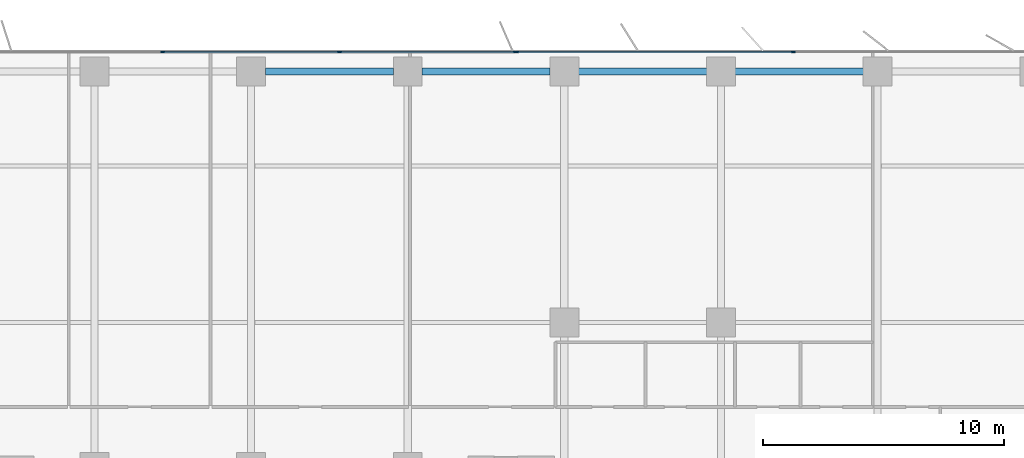
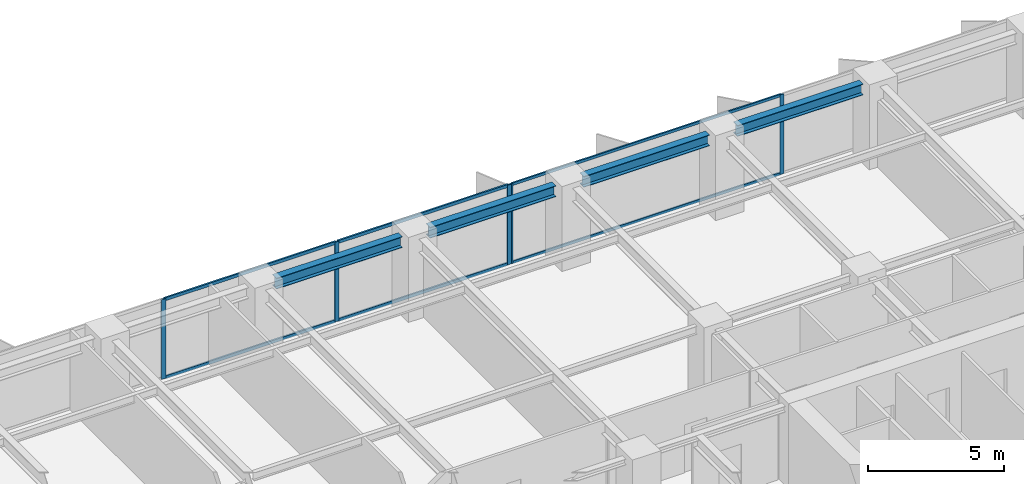
# One storey, part 9 of 20: 11 members, 4 beams, 2 elements without a shape of their own.
"""IFC4 building model written with IfcOpenShell, lengths in metres."""

import ifcopenshell
import ifcopenshell.guid

model = None  # the IFC model being written
_history = None  # IfcOwnerHistory: only IFC2X3 demands one
_inside = {}  # id of a spatial element -> (the spatial element, [elements in it])
_under = {}  # id of a project, library or spatial element -> (it, [spatial elements below it])
_declared = {}  # id of a project -> (the project, [libraries it declares])
_typed = {}  # id of a type object -> (the type object, [elements of that type])
_made_of = {}  # id of a material, layer set ... -> (it, [elements and type objects made of it])


def new_model(schema):
    """Start an empty IFC model of exactly this schema.

    Asked for "IFC4X3", IfcOpenShell would pick the latest addendum, in which some entities
    have other attributes; the version numbers below select the first issue.
    IFC2X3 requires an IfcOwnerHistory on every rooted entity: one is made here for all.
    """
    global model, _history
    if schema == "IFC4X3":
        model = ifcopenshell.file(schema_version=(4, 3, 0, 0))
    else:
        model = ifcopenshell.file(schema=schema)
    _inside.clear()
    _under.clear()
    _declared.clear()
    _typed.clear()
    _made_of.clear()
    _history = None
    if model.schema == "IFC2X3":
        org = make("IfcOrganization", Name="unknown")
        user = make(
            "IfcPersonAndOrganization",
            ThePerson=make("IfcPerson", FamilyName="unknown"),
            TheOrganization=org,
        )
        app = make(
            "IfcApplication",
            ApplicationDeveloper=org,
            Version="unknown",
            ApplicationFullName="unknown",
            ApplicationIdentifier="unknown",
        )
        _history = make(
            "IfcOwnerHistory",
            OwningUser=user,
            OwningApplication=app,
            ChangeAction="ADDED",
            CreationDate=0,
        )
    return model


def make(cls, **values):
    """One entity of the class cls with the attributes given. An attribute that is None is left unset."""
    return model.create_entity(
        cls, **{name: value for name, value in values.items() if value is not None}
    )


def rooted(cls, **values):
    """An entity with a GlobalId (a new one), such as an element, a storey or a relation."""
    return make(cls, GlobalId=ifcopenshell.guid.new(), OwnerHistory=_history, **values)


def si_unit(unit_type, name, prefix=None):
    """IfcSIUnit, for example si_unit("LENGTHUNIT", "METRE", prefix="MILLI")."""
    return make("IfcSIUnit", UnitType=unit_type, Prefix=prefix, Name=name)


def assignment(units):
    """IfcUnitAssignment: the units of a project."""
    return None if units is None else make("IfcUnitAssignment", Units=units)


def point(xyz):
    """IfcCartesianPoint."""
    return None if xyz is None else make("IfcCartesianPoint", Coordinates=xyz)


def direction(xyz):
    """IfcDirection."""
    return None if xyz is None else make("IfcDirection", DirectionRatios=xyz)


def frame(location, z_axis=None, x_axis=None):
    """IfcAxis2Placement3D, a coordinate frame: its origin and axes. An axis left out is left unset."""
    return make(
        "IfcAxis2Placement3D",
        Location=point(location),
        Axis=direction(z_axis),
        RefDirection=direction(x_axis),
    )


def frame_2d(location, x_axis=None):
    """IfcAxis2Placement2D, a coordinate frame in the plane: its origin and x axis."""
    return make(
        "IfcAxis2Placement2D", Location=point(location), RefDirection=direction(x_axis)
    )


def origin():
    """The frame at (0, 0, 0) with its axes left unset."""
    return frame((0.0, 0.0, 0.0))


def origin_2d():
    """The frame at (0, 0) in the plane with its x axis left unset."""
    return frame_2d((0.0, 0.0))


def place(relative_to, where):
    """IfcLocalPlacement: puts the frame where relative to a parent placement (None: the world)."""
    return make(
        "IfcLocalPlacement", PlacementRelTo=relative_to, RelativePlacement=where
    )


def context(
    kind, dimensions, precision=None, world=None, true_north=None, identifier=None
):
    """IfcGeometricRepresentationContext, for example the 3D "Model" context."""
    return make(
        "IfcGeometricRepresentationContext",
        ContextIdentifier=identifier,
        ContextType=kind,
        CoordinateSpaceDimension=dimensions,
        Precision=precision,
        WorldCoordinateSystem=world,
        TrueNorth=true_north,
    )


def subcontext(parent, identifier, kind, view, scale=None):
    """IfcGeometricRepresentationSubContext, for example "Body" below "Model"."""
    return make(
        "IfcGeometricRepresentationSubContext",
        ContextIdentifier=identifier,
        ContextType=kind,
        ParentContext=parent,
        TargetScale=scale,
        TargetView=view,
    )


def project(units=None, contexts=None):
    """IfcProject with its units and contexts."""
    return rooted(
        "IfcProject",
        Name="project",
        RepresentationContexts=contexts,
        UnitsInContext=assignment(units),
    )


def spatial(cls, under=None, at=None, **own):
    """A site, building, storey or space (cls), placed at a placement, below another one or the project."""
    s = rooted(cls, ObjectPlacement=at, **own)
    if under is not None:
        _under.setdefault(under.id(), (under, []))[1].append(s)
    return s


def profile(cls, at=None, kind="AREA", **sizes):
    """A parametric profile (cls). Its sizes go by their IFC names, for example OverallWidth=200.0."""
    return make(cls, ProfileType=kind, Position=at, **sizes)


def rectangle(**sizes):
    """IfcRectangleProfileDef."""
    return profile("IfcRectangleProfileDef", **sizes)


def i_section(**sizes):
    """IfcIShapeProfileDef."""
    return profile("IfcIShapeProfileDef", **sizes)


def extrude(swept, where, along, depth):
    """IfcExtrudedAreaSolid: the profile swept, set in the frame where, extruded along a direction by depth."""
    return make(
        "IfcExtrudedAreaSolid",
        SweptArea=swept,
        Position=where,
        ExtrudedDirection=direction(along),
        Depth=depth,
    )


def shape(context_of_items, identifier, shape_type, items):
    """IfcShapeRepresentation: the items that make up one representation, for example the "Body"."""
    return make(
        "IfcShapeRepresentation",
        ContextOfItems=context_of_items,
        RepresentationIdentifier=identifier,
        RepresentationType=shape_type,
        Items=items,
    )


def material(Name=None, Category=None):
    """IfcMaterial."""
    return make("IfcMaterial", Name=Name, Category=Category)


def layer(
    of_material, thickness, ventilated=None, Name=None, Category=None, Priority=None
):
    """IfcMaterialLayer: one layer of a wall or slab, of a material (None: an air gap)."""
    return make(
        "IfcMaterialLayer",
        Material=of_material,
        LayerThickness=thickness,
        IsVentilated=ventilated,
        Name=Name,
        Category=Category,
        Priority=Priority,
    )


def layer_set(layers, Name=None):
    """IfcMaterialLayerSet."""
    return make("IfcMaterialLayerSet", MaterialLayers=layers, LayerSetName=Name)


def material_profile(
    of_material, cross_section, Name=None, Category=None, Priority=None
):
    """IfcMaterialProfile: a cross section and its material."""
    return make(
        "IfcMaterialProfile",
        Name=Name,
        Material=of_material,
        Profile=cross_section,
        Priority=Priority,
        Category=Category,
    )


def profile_set(profiles, Name=None, composite=None):
    """IfcMaterialProfileSet."""
    return make(
        "IfcMaterialProfileSet",
        Name=Name,
        MaterialProfiles=profiles,
        CompositeProfile=composite,
    )


def made_of(thing, what):
    """Note that an element or type object is made of a material, layer set ...; save() writes the relation."""
    if what is not None:
        _made_of.setdefault(what.id(), (what, []))[1].append(thing)
    return thing


def type_object(cls, material=None, **own):
    """A type object (cls), such as IfcWallType, which elements share."""
    return made_of(rooted(cls, **own), material)


def element(
    cls,
    number,
    at=None,
    inside=None,
    cuts=None,
    type_object=None,
    material=None,
    context=None,
    identifier="Body",
    shape_type=None,
    held_by="IfcProductDefinitionShape",
    body=None,
    shapes=None,
    **own,
):
    """One element of the class cls, such as IfcWall. Its Tag is "e" and its number.

    at: its placement. inside: the storey or other place that contains it. cuts: it is an
    opening in that element (IfcRelVoidsElement). A single representation is given by context,
    identifier, shape_type and body (its items); several are given by shapes. held_by: the class
    of the entity that holds the representations. save() writes the other relations.
    """
    e = rooted(cls, Tag="e%d" % number, ObjectPlacement=at, **own)
    if body is not None:
        shapes = [shape(context, identifier, shape_type, body)]
    if shapes is not None:
        e.Representation = make(held_by, Representations=shapes)
    if inside is not None:
        _inside.setdefault(inside.id(), (inside, []))[1].append(e)
    if cuts is not None:
        rooted(
            "IfcRelVoidsElement", RelatingBuildingElement=cuts, RelatedOpeningElement=e
        )
    if type_object is not None:
        _typed.setdefault(type_object.id(), (type_object, []))[1].append(e)
    return made_of(e, material)


def aggregate(whole, parts):
    """IfcRelAggregates: a whole, such as a stair, and the parts it consists of."""
    return rooted("IfcRelAggregates", RelatingObject=whole, RelatedObjects=parts)


def save(model, path):
    """Write the relations noted so far, then the file.

    IfcRelAggregates (storeys below a building ...), IfcRelContainedInSpatialStructure (elements
    in a storey), IfcRelDefinesByType, IfcRelAssociatesMaterial and IfcRelDeclares: one each for
    every whole, place, type object, material and project.
    """
    for whole, parts in _under.values():
        aggregate(whole, parts)
    for where, things in _inside.values():
        rooted(
            "IfcRelContainedInSpatialStructure",
            RelatedElements=things,
            RelatingStructure=where,
        )
    for kind, things in _typed.values():
        rooted("IfcRelDefinesByType", RelatedObjects=things, RelatingType=kind)
    for what, things in _made_of.values():
        rooted("IfcRelAssociatesMaterial", RelatedObjects=things, RelatingMaterial=what)
    for by, libraries in _declared.values():
        rooted("IfcRelDeclares", RelatingContext=by, RelatedDefinitions=libraries)
    model.write(path)


model = new_model("IFC4")

# Units and contexts
model_context = context("Model", 3, precision=1e-05, world=origin(), true_north=direction((0.0, 1.0)))
body_context = subcontext(model_context, "Body", "Model", "MODEL_VIEW")
ifc_project = project(units=[si_unit("LENGTHUNIT", "METRE"), si_unit("AREAUNIT", "SQUARE_METRE"), si_unit("VOLUMEUNIT", "CUBIC_METRE"), si_unit("PLANEANGLEUNIT", "RADIAN"), si_unit("MASSUNIT", "GRAM", prefix="KILO")], contexts=[model_context])

# Site, building, storey
site_placement = place(None, origin())
site = spatial("IfcSite", under=ifc_project, at=site_placement, CompositionType="ELEMENT")
building_placement = place(site_placement, origin())
building = spatial("IfcBuilding", under=site, at=building_placement, Name="Putna Gate Headquarters", CompositionType="ELEMENT")
storey_placement = place(building_placement, frame((0.0, 0.0, 127.800048828125)))
storey = spatial("IfcBuildingStorey", under=building, at=storey_placement, Name="L31", CompositionType="ELEMENT", Elevation=127.800048828125)

# Beams
ifc_material_1 = material(Name="Steel S355J2", Category="steel")
ifc_material_profile_1 = material_profile(ifc_material_1, i_section(OverallWidth=0.300048828125, OverallDepth=0.489990234375, WebThickness=0.011962890625, FlangeThickness=0.02294921875, at=origin_2d()), Name="Steel S355J2")
ifc_profile_set_1 = profile_set([ifc_material_profile_1], Name="Steel S355J2")
beam_type = type_object("IfcBeamType", Name="BM-SPAN-Z2-HEA500", PredefinedType="SPANDREL", material=ifc_profile_set_1)
for number, where, z_axis, x_axis, name in (
    (1, (39.587890625, 49.419921875, 3.320068359375), (1.0, 0.0, 0.0), (0.0, 1.0, 0.0), "L31 N Perimeter Spandrel 6"),
    (2, (46.087890625, 49.419921875, 3.320068359375), (1.0, 0.0, 0.0), (0.0, 1.0, 0.0), "L31 N Perimeter Spandrel 7"),
    (3, (52.587890625, 49.419921875, 3.320068359375), (1.0, 0.0, 0.0), (0.0, 1.0, 0.0), "L31 N Perimeter Spandrel 8"),
    (4, (59.087890625, 49.419921875, 3.320068359375), (1.0, 0.0, 0.0), (0.0, 1.0, 0.0), "L31 N Perimeter Spandrel 9"),
):
    element("IfcBeam", number, at=place(storey_placement, frame(where, z_axis=z_axis, x_axis=x_axis)), inside=storey, type_object=beam_type, Name=name, PredefinedType="SPANDREL", context=body_context, shape_type="SweptSolid", body=[
        extrude(i_section(OverallWidth=0.300048828125, OverallDepth=0.489990234375, WebThickness=0.011962890625, FlangeThickness=0.02294921875, at=origin_2d()), origin(), (0.0, 0.0, 1.0), 5.32421875),
    ])

# Curtain wall, members
ifc_material_2 = material(Name="Anodised bronze aluminium curtain wall", Category="aluminium")
ifc_layer_1 = layer(ifc_material_2, 0.159912109375)
ifc_layer_set_1 = layer_set([ifc_layer_1], Name="Anodised bronze aluminium curtain wall")
curtain_wall_type_1 = type_object("IfcCurtainWallType", Name="CW-SYS-Z2", PredefinedType="USERDEFINED", material=ifc_layer_set_1)
curtain_wall_1_placement = place(storey_placement, origin())
curtain_wall_1 = element("IfcCurtainWall", 5, at=curtain_wall_1_placement, inside=storey, type_object=curtain_wall_type_1, Name="L31 North East Curtain Wall", ObjectType="STICK CURTAIN WALL", PredefinedType="USERDEFINED")
ifc_material_3 = material(Name="Anodised bronze aluminium EN AW-6060", Category="aluminium")
ifc_material_profile_2 = material_profile(ifc_material_3, rectangle(XDim=0.06494140625, YDim=0.159912109375, at=origin_2d()), Name="Anodised bronze aluminium EN AW-6060")
ifc_profile_set_2 = profile_set([ifc_material_profile_2], Name="Anodised bronze aluminium EN AW-6060")
member_type_1 = type_object("IfcMemberType", Name="MULL-CWM-2", PredefinedType="MULLION", material=ifc_profile_set_2)
member_1_placement = place(storey_placement, frame((50.032470703125, 50.219970703125, 0.0), z_axis=(0.0, 0.0, 1.0), x_axis=(0.0, 1.0, 0.0)))
member_1 = element("IfcMember", 6, at=member_1_placement, type_object=member_type_1, Name="CWS-2 mullion 1", PredefinedType="MULLION", context=body_context, shape_type="SweptSolid", body=[
    extrude(rectangle(XDim=0.06494140625, YDim=0.159912109375, at=origin_2d()), origin(), (0.0, 0.0, 1.0), 3.56494140625),
])
member_2_placement = place(storey_placement, frame((61.5, 50.219970703125, 0.0), z_axis=(0.0, 0.0, 1.0), x_axis=(0.0, 1.0, 0.0)))
member_2 = element("IfcMember", 7, at=member_2_placement, type_object=member_type_1, Name="CWS-2 mullion 2", PredefinedType="MULLION", context=body_context, shape_type="SweptSolid", body=[
    extrude(rectangle(XDim=0.06494140625, YDim=0.159912109375, at=origin_2d()), origin(), (0.0, 0.0, 1.0), 3.56494140625),
])

ifc_layer_2 = layer(ifc_material_2, 0.179931640625)
ifc_layer_set_2 = layer_set([ifc_layer_2], Name="Anodised bronze aluminium curtain wall")
curtain_wall_type_2 = type_object("IfcCurtainWallType", Name="CW-SYS-ATR", PredefinedType="USERDEFINED", material=ifc_layer_set_2)
curtain_wall_2_placement = place(storey_placement, origin())
curtain_wall_2 = element("IfcCurtainWall", 8, at=curtain_wall_2_placement, inside=storey, type_object=curtain_wall_type_2, Name="L31 North Atrium Clear Glazing", ObjectType="ATRIUM GLAZING", PredefinedType="USERDEFINED")
ifc_material_profile_3 = material_profile(ifc_material_3, rectangle(XDim=0.070068359375, YDim=0.179931640625, at=origin_2d()), Name="Anodised bronze aluminium EN AW-6060")
ifc_profile_set_3 = profile_set([ifc_material_profile_3], Name="Anodised bronze aluminium EN AW-6060")
member_type_2 = type_object("IfcMemberType", Name="MULL-CWM-AT", PredefinedType="MULLION", material=ifc_profile_set_3)
member_3_placement = place(storey_placement, frame((35.333251953125, 50.219970703125, 0.0), z_axis=(0.0, 0.0, 1.0), x_axis=(0.0, 1.0, 0.0)))
member_3 = element("IfcMember", 9, at=member_3_placement, type_object=member_type_2, Name="CWS-AT mullion 2", PredefinedType="MULLION", context=body_context, shape_type="SweptSolid", body=[
    extrude(rectangle(XDim=0.070068359375, YDim=0.179931640625, at=origin_2d()), origin(), (0.0, 0.0, 1.0), 3.56494140625),
])
member_4_placement = place(storey_placement, frame((42.666748046875, 50.219970703125, 0.0), z_axis=(0.0, 0.0, 1.0), x_axis=(0.0, 1.0, 0.0)))
member_4 = element("IfcMember", 10, at=member_4_placement, type_object=member_type_2, Name="CWS-AT mullion 3", PredefinedType="MULLION", context=body_context, shape_type="SweptSolid", body=[
    extrude(rectangle(XDim=0.070068359375, YDim=0.179931640625, at=origin_2d()), origin(), (0.0, 0.0, 1.0), 3.56494140625),
])
member_5_placement = place(storey_placement, frame((49.965087890625, 50.219970703125, 0.0), z_axis=(0.0, 0.0, 1.0), x_axis=(0.0, 1.0, 0.0)))
member_5 = element("IfcMember", 11, at=member_5_placement, type_object=member_type_2, Name="CWS-AT mullion 4", PredefinedType="MULLION", context=body_context, shape_type="SweptSolid", body=[
    extrude(rectangle(XDim=0.070068359375, YDim=0.179931640625, at=origin_2d()), origin(), (0.0, 0.0, 1.0), 3.56494140625),
])

# Member
ifc_material_profile_4 = material_profile(ifc_material_3, rectangle(XDim=0.06494140625, YDim=0.1201171875, at=origin_2d()), Name="Anodised bronze aluminium EN AW-6060")
ifc_profile_set_4 = profile_set([ifc_material_profile_4], Name="Anodised bronze aluminium EN AW-6060")
member_type_3 = type_object("IfcMemberType", Name="TRAN-CWT-2", PredefinedType="USERDEFINED", material=ifc_profile_set_4)
member_6_placement = place(storey_placement, frame((50.06494140625, 50.219970703125, 0.032470703125), z_axis=(1.0, 0.0, 0.0), x_axis=(0.0, 1.0, 0.0)))
member_6 = element("IfcMember", 12, at=member_6_placement, type_object=member_type_3, Name="CWS-2 transom 1.1", ObjectType="TRANSOM", PredefinedType="USERDEFINED", context=body_context, shape_type="SweptSolid", body=[
    extrude(rectangle(XDim=0.06494140625, YDim=0.1201171875, at=origin_2d()), origin(), (0.0, 0.0, 1.0), 11.402587890625),
])

member_7_placement = place(storey_placement, frame((50.06494140625, 50.219970703125, 3.532470703125), z_axis=(1.0, 0.0, 0.0), x_axis=(0.0, 1.0, 0.0)))
member_7 = element("IfcMember", 13, at=member_7_placement, type_object=member_type_3, Name="CWS-2 transom 1.2", ObjectType="TRANSOM", PredefinedType="USERDEFINED", context=body_context, shape_type="SweptSolid", body=[
    extrude(rectangle(XDim=0.06494140625, YDim=0.1201171875, at=origin_2d()), origin(), (0.0, 0.0, 1.0), 11.402587890625),
])

aggregate(curtain_wall_1, [member_1, member_2, member_6, member_7])

ifc_material_profile_5 = material_profile(ifc_material_3, rectangle(XDim=0.070068359375, YDim=0.139892578125, at=origin_2d()), Name="Anodised bronze aluminium EN AW-6060")
ifc_profile_set_5 = profile_set([ifc_material_profile_5], Name="Anodised bronze aluminium EN AW-6060")
member_type_4 = type_object("IfcMemberType", Name="TRAN-CWT-AT", PredefinedType="USERDEFINED", material=ifc_profile_set_5)
member_8_placement = place(storey_placement, frame((35.368408203125, 50.219970703125, 0.034912109375), z_axis=(1.0, 0.0, 0.0), x_axis=(0.0, 1.0, 0.0)))
member_8 = element("IfcMember", 14, at=member_8_placement, type_object=member_type_4, Name="CWS-AT transom 2.1", ObjectType="TRANSOM", PredefinedType="USERDEFINED", context=body_context, shape_type="SweptSolid", body=[
    extrude(rectangle(XDim=0.070068359375, YDim=0.139892578125, at=origin_2d()), origin(), (0.0, 0.0, 1.0), 7.26318359375),
])

member_9_placement = place(storey_placement, frame((35.368408203125, 50.219970703125, 3.530029296875), z_axis=(1.0, 0.0, 0.0), x_axis=(0.0, 1.0, 0.0)))
member_9 = element("IfcMember", 15, at=member_9_placement, type_object=member_type_4, Name="CWS-AT transom 2.2", ObjectType="TRANSOM", PredefinedType="USERDEFINED", context=body_context, shape_type="SweptSolid", body=[
    extrude(rectangle(XDim=0.070068359375, YDim=0.139892578125, at=origin_2d()), origin(), (0.0, 0.0, 1.0), 7.26318359375),
])

member_10_placement = place(storey_placement, frame((42.70166015625, 50.219970703125, 0.034912109375), z_axis=(1.0, 0.0, 0.0), x_axis=(0.0, 1.0, 0.0)))
member_10 = element("IfcMember", 16, at=member_10_placement, type_object=member_type_4, Name="CWS-AT transom 3.1", ObjectType="TRANSOM", PredefinedType="USERDEFINED", context=body_context, shape_type="SweptSolid", body=[
    extrude(rectangle(XDim=0.070068359375, YDim=0.139892578125, at=origin_2d()), origin(), (0.0, 0.0, 1.0), 7.228271484375),
])

member_11_placement = place(storey_placement, frame((42.70166015625, 50.219970703125, 3.530029296875), z_axis=(1.0, 0.0, 0.0), x_axis=(0.0, 1.0, 0.0)))
member_11 = element("IfcMember", 17, at=member_11_placement, type_object=member_type_4, Name="CWS-AT transom 3.2", ObjectType="TRANSOM", PredefinedType="USERDEFINED", context=body_context, shape_type="SweptSolid", body=[
    extrude(rectangle(XDim=0.070068359375, YDim=0.139892578125, at=origin_2d()), origin(), (0.0, 0.0, 1.0), 7.228271484375),
])

aggregate(curtain_wall_2, [member_3, member_4, member_5, member_8, member_9, member_10, member_11])

save(model, "model.ifc")
